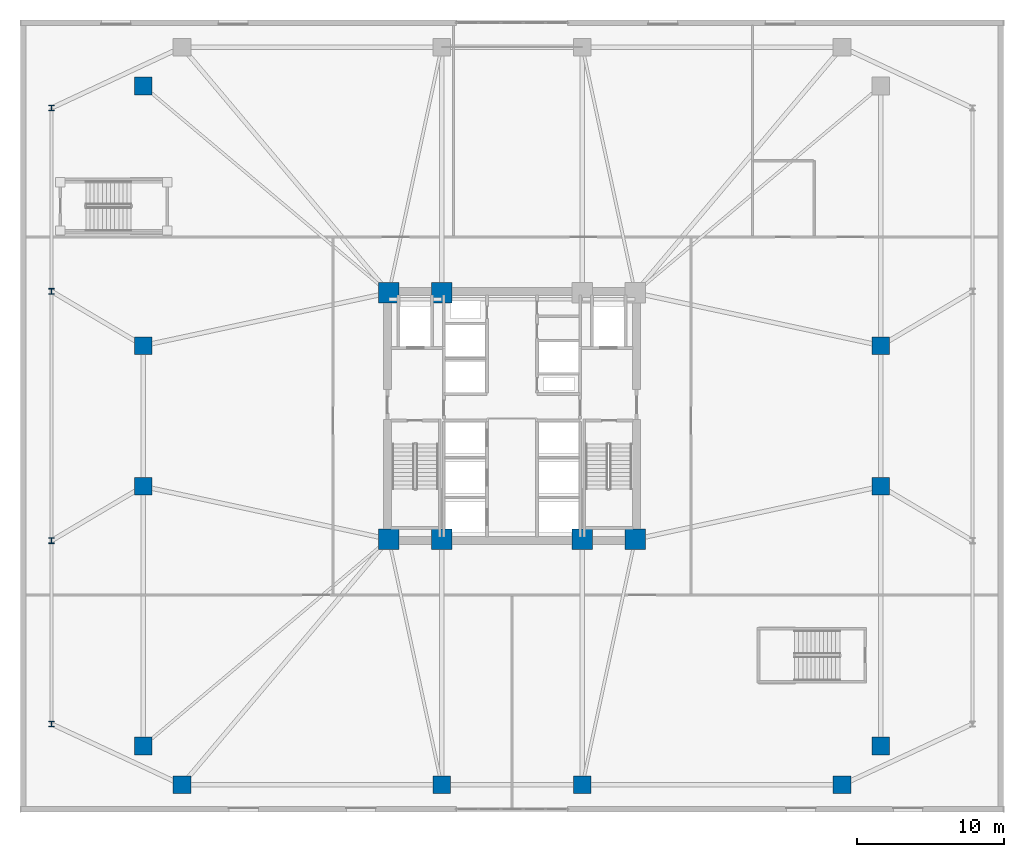
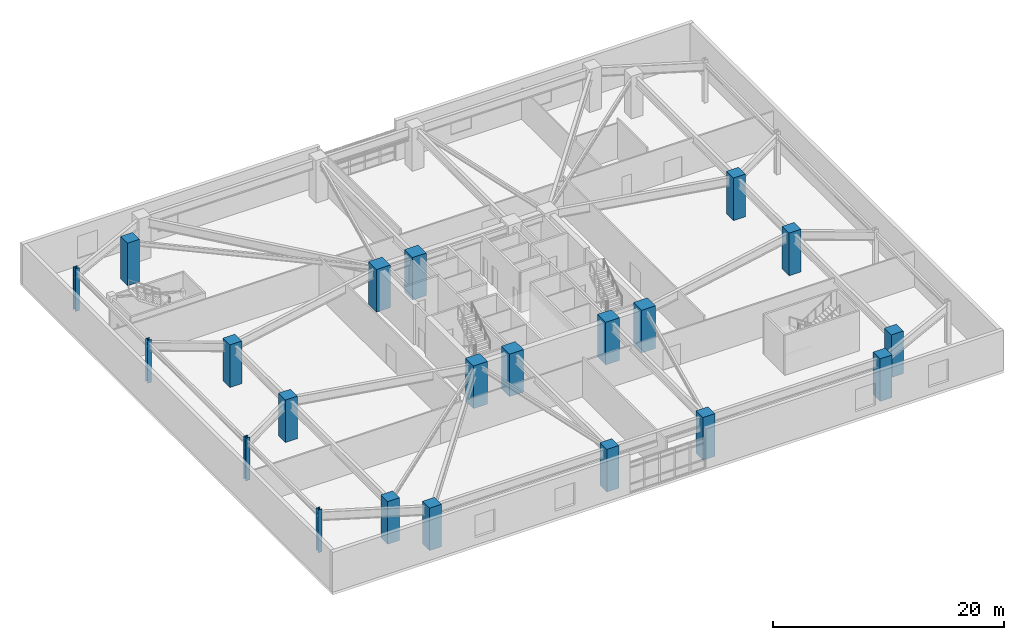
# One storey, part 1 of 21: 21 columns.
"""IFC4 building model written with IfcOpenShell, lengths in metres."""

from ifc_helpers import new_model, si_unit, direction, frame, origin, origin_2d, place, context, subcontext, project, spatial, rectangle, i_section, extrude, material, material_profile, profile_set, type_object, element, save


model = new_model("IFC4")

# Units and contexts
model_context = context("Model", 3, precision=1e-05, world=origin(), true_north=direction((0.0, 1.0)))
body_context = subcontext(model_context, "Body", "Model", "MODEL_VIEW")
ifc_project = project(units=[si_unit("LENGTHUNIT", "METRE"), si_unit("AREAUNIT", "SQUARE_METRE"), si_unit("VOLUMEUNIT", "CUBIC_METRE"), si_unit("PLANEANGLEUNIT", "RADIAN"), si_unit("MASSUNIT", "GRAM", prefix="KILO")], contexts=[model_context])

# Site, building, storey
site_placement = place(None, origin())
site = spatial("IfcSite", under=ifc_project, at=site_placement, CompositionType="ELEMENT")
building_placement = place(site_placement, origin())
building = spatial("IfcBuilding", under=site, at=building_placement, Name="Cairnveth Concourse Tower", CompositionType="ELEMENT")
storey_placement = place(building_placement, frame((0.0, 0.0, 10.0)))
storey = spatial("IfcBuildingStorey", under=building, at=storey_placement, Name="L02", CompositionType="ELEMENT", Elevation=10.0)

# Columns
ifc_material_1 = material(Name="Concrete N80 (80 MPa)", Category="concrete")
ifc_material_profile_1 = material_profile(ifc_material_1, rectangle(XDim=1.39990234375, YDim=1.39990234375, at=origin_2d()), Name="RC-COL-1400x1400")
ifc_profile_set_1 = profile_set([ifc_material_profile_1], Name="Concrete N80 (80 MPa)")
column_type_1 = type_object("IfcColumnType", Name="CORE COLUMN 1400X1400", PredefinedType="COLUMN", material=ifc_profile_set_1)
for number, where, z_axis, x_axis, name in (
    (1, (43.60009765625, 30.60009765625, 0.0), (0.0, 0.0, 1.0), (1.0, 0.0, 0.0), "Column CC1 L02"),
    (2, (47.199951171875, 30.60009765625, 0.0), (0.0, 0.0, 1.0), (1.0, 0.0, 0.0), "Column CC2 L02"),
    (3, (56.800048828125, 30.60009765625, 0.0), (0.0, 0.0, 1.0), (1.0, 0.0, 0.0), "Column CC3 L02"),
    (4, (60.39990234375, 30.60009765625, 0.0), (0.0, 0.0, 1.0), (1.0, 0.0, 0.0), "Column CC4 L02"),
    (5, (43.60009765625, 47.39990234375, 0.0), (0.0, 0.0, 1.0), (1.0, 0.0, 0.0), "Column CC5 L02"),
    (6, (47.199951171875, 47.39990234375, 0.0), (0.0, 0.0, 1.0), (1.0, 0.0, 0.0), "Column CC6 L02"),
):
    element("IfcColumn", number, at=place(storey_placement, frame(where, z_axis=z_axis, x_axis=x_axis)), inside=storey, type_object=column_type_1, Name=name, PredefinedType="COLUMN", context=body_context, shape_type="SweptSolid", body=[
        extrude(rectangle(XDim=1.39990234375, YDim=1.39990234375, at=origin_2d()), origin(), (0.0, 0.0, 1.0), 4.5),
    ])
ifc_material_profile_2 = material_profile(ifc_material_1, rectangle(XDim=1.199951171875, YDim=1.199951171875, at=origin_2d()), Name="RC-COL-1200x1200")
ifc_profile_set_2 = profile_set([ifc_material_profile_2], Name="Concrete N80 (80 MPa)")
column_type_2 = type_object("IfcColumnType", Name="PERIMETER PIER COLUMN 1200X1200", PredefinedType="COLUMN", material=ifc_profile_set_2)
for number, where, z_axis, x_axis, name in (
    (7, (29.5, 13.85009765625, 0.0), (0.0, 0.0, 1.0), (1.0, 0.0, 0.0), "Column Z1-S1 L02"),
    (8, (47.199951171875, 13.85009765625, 0.0), (0.0, 0.0, 1.0), (1.0, 0.0, 0.0), "Column Z1-S2 L02"),
    (9, (56.800048828125, 13.85009765625, 0.0), (0.0, 0.0, 1.0), (1.0, 0.0, 0.0), "Column Z1-S3 L02"),
    (10, (74.5, 13.85009765625, 0.0), (0.0, 0.0, 1.0), (1.0, 0.0, 0.0), "Column Z1-S4 L02"),
    (11, (77.14990234375, 16.5, 0.0), (0.0, 0.0, 1.0), (1.0, 0.0, 0.0), "Column Z1-E1 L02"),
    (12, (77.14990234375, 34.199951171875, 0.0), (0.0, 0.0, 1.0), (1.0, 0.0, 0.0), "Column Z1-E2 L02"),
    (13, (77.14990234375, 43.800048828125, 0.0), (0.0, 0.0, 1.0), (1.0, 0.0, 0.0), "Column Z1-E3 L02"),
    (14, (26.85009765625, 61.5, 0.0), (0.0, 0.0, 1.0), (1.0, 0.0, 0.0), "Column Z1-W1 L02"),
    (15, (26.85009765625, 43.800048828125, 0.0), (0.0, 0.0, 1.0), (1.0, 0.0, 0.0), "Column Z1-W2 L02"),
    (16, (26.85009765625, 34.199951171875, 0.0), (0.0, 0.0, 1.0), (1.0, 0.0, 0.0), "Column Z1-W3 L02"),
    (17, (26.85009765625, 16.5, 0.0), (0.0, 0.0, 1.0), (1.0, 0.0, 0.0), "Column Z1-W4 L02"),
):
    element("IfcColumn", number, at=place(storey_placement, frame(where, z_axis=z_axis, x_axis=x_axis)), inside=storey, type_object=column_type_2, Name=name, PredefinedType="COLUMN", context=body_context, shape_type="SweptSolid", body=[
        extrude(rectangle(XDim=1.199951171875, YDim=1.199951171875, at=origin_2d()), origin(), (0.0, 0.0, 1.0), 4.5),
    ])
ifc_material_2 = material(Name="Steel Grade 350", Category="steel")
ifc_material_profile_3 = material_profile(ifc_material_2, i_section(OverallWidth=0.39990234375, OverallDepth=0.39990234375, WebThickness=0.028076171875, FlangeThickness=0.044921875, at=origin_2d()), Name="400WC328")
ifc_profile_set_3 = profile_set([ifc_material_profile_3], Name="Steel Grade 350")
column_type_3 = type_object("IfcColumnType", Name="WELDED STEEL COLUMN 400WC328", PredefinedType="COLUMN", material=ifc_profile_set_3)
for number, where, z_axis, x_axis, name in (
    (18, (20.60009765625, 18.0, 0.0), (0.0, 0.0, 1.0), (1.0, 0.0, 0.0), "Column PC-W1 L02"),
    (19, (20.60009765625, 30.5, 0.0), (0.0, 0.0, 1.0), (1.0, 0.0, 0.0), "Column PC-W2 L02"),
    (20, (20.60009765625, 47.5, 0.0), (0.0, 0.0, 1.0), (1.0, 0.0, 0.0), "Column PC-W3 L02"),
    (21, (20.60009765625, 60.0, 0.0), (0.0, 0.0, 1.0), (1.0, 0.0, 0.0), "Column PC-W4 L02"),
):
    element("IfcColumn", number, at=place(storey_placement, frame(where, z_axis=z_axis, x_axis=x_axis)), inside=storey, type_object=column_type_3, Name=name, PredefinedType="COLUMN", context=body_context, shape_type="SweptSolid", body=[
        extrude(i_section(OverallWidth=0.39990234375, OverallDepth=0.39990234375, WebThickness=0.028076171875, FlangeThickness=0.044921875, at=origin_2d()), origin(), (0.0, 0.0, 1.0), 4.5),
    ])

save(model, "model.ifc")
